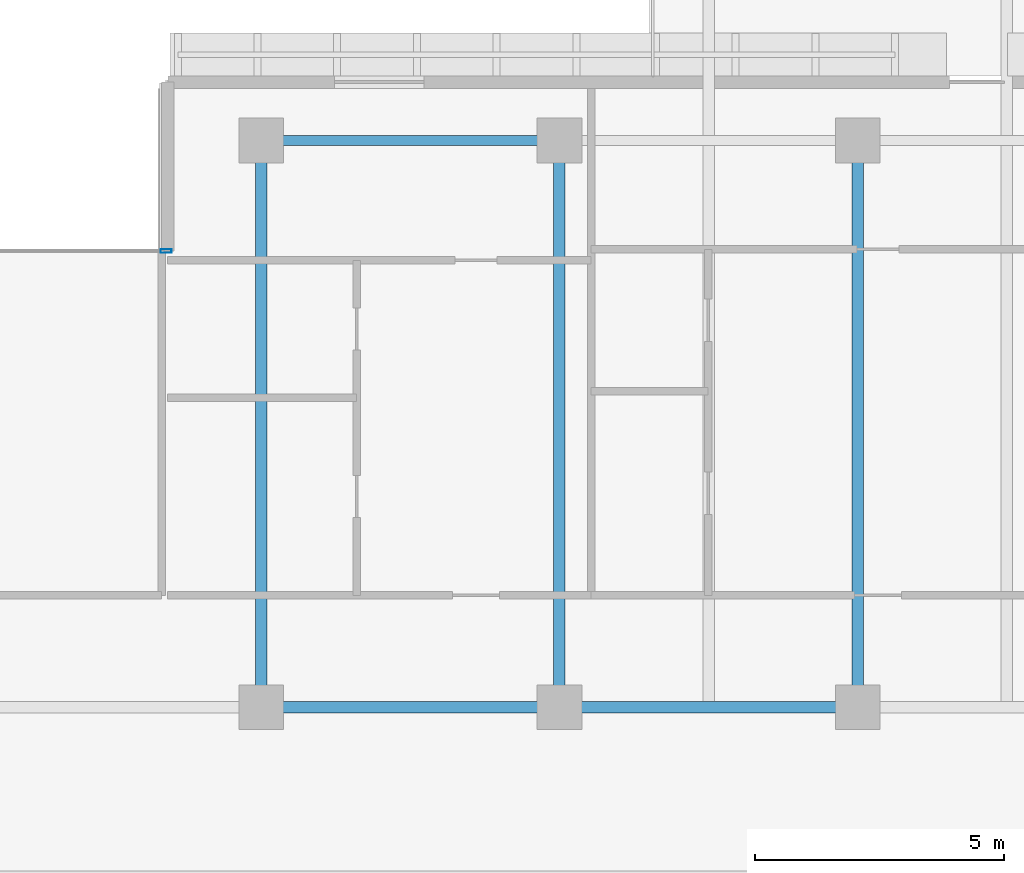
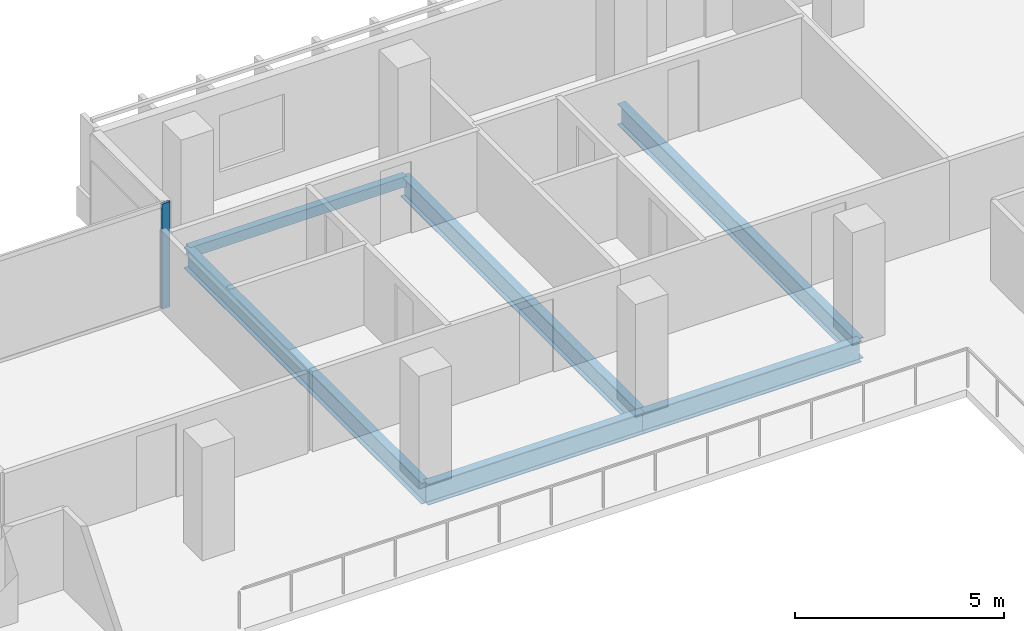
# One storey, part 7 of 20: 6 beams, 1 member, 1 element without a shape of its own.
"""IFC4 building model written with IfcOpenShell, lengths in metres."""

from ifc_helpers import new_model, si_unit, direction, frame, origin, origin_2d, place, context, subcontext, project, spatial, hollow_rectangle, i_section, extrude, material, layer, layer_set, material_profile, profile_set, type_object, element, aggregate, save


model = new_model("IFC4")

# Units and contexts
model_context = context("Model", 3, precision=1e-05, world=origin(), true_north=direction((0.0, 1.0)))
body_context = subcontext(model_context, "Body", "Model", "MODEL_VIEW")
ifc_project = project(units=[si_unit("LENGTHUNIT", "METRE"), si_unit("AREAUNIT", "SQUARE_METRE"), si_unit("VOLUMEUNIT", "CUBIC_METRE"), si_unit("PLANEANGLEUNIT", "RADIAN"), si_unit("MASSUNIT", "GRAM", prefix="KILO")], contexts=[model_context])

# Site, building, storey
site_placement = place(None, origin())
site = spatial("IfcSite", under=ifc_project, at=site_placement, CompositionType="ELEMENT")
building_placement = place(site_placement, origin())
building = spatial("IfcBuilding", under=site, at=building_placement, Name="Tanjung Sevakor Pilgrim Tower", CompositionType="ELEMENT")
storey_placement = place(building_placement, frame((0.0, 0.0, 141.89990234375)))
storey = spatial("IfcBuildingStorey", under=building, at=storey_placement, Name="L39", CompositionType="ELEMENT", Elevation=141.89990234375)

# Beams
ifc_material_1 = material(Name="Steel S355J2", Category="steel")
ifc_material_profile_1 = material_profile(ifc_material_1, i_section(OverallWidth=0.230224609375, OverallDepth=0.6171875, WebThickness=0.01318359375, FlangeThickness=0.022216796875, FilletRadius=0.0126953125, at=origin_2d()))
ifc_profile_set_1 = profile_set([ifc_material_profile_1], Name="Steel S355J2")
beam_type_1 = type_object("IfcBeamType", Name="BM-B-G3-UB_610x229x140", PredefinedType="BEAM", material=ifc_profile_set_1)
for number, where, z_axis, x_axis, name in (
    (1, (54.0, 42.60009765625, -0.528564453125), (1.0, 0.0, 0.0), (0.0, 1.0, 0.0), "L39 Primary Floor Girder MAIN Y426-04"),
    (2, (60.0, 42.60009765625, -0.528564453125), (1.0, 0.0, 0.0), (0.0, 1.0, 0.0), "L39 Primary Floor Girder MAIN Y426-05"),
):
    element("IfcBeam", number, at=place(storey_placement, frame(where, z_axis=z_axis, x_axis=x_axis)), inside=storey, type_object=beam_type_1, Name=name, PredefinedType="BEAM", context=body_context, shape_type="SweptSolid", body=[
        extrude(i_section(OverallWidth=0.230224609375, OverallDepth=0.6171875, WebThickness=0.01318359375, FlangeThickness=0.022216796875, FilletRadius=0.0126953125, at=origin_2d()), origin(), (0.0, 0.0, 1.0), 6.0),
    ])
ifc_material_2 = material(Name="Steel S355J2", Category="steel")
ifc_material_profile_2 = material_profile(ifc_material_2, i_section(OverallWidth=0.22900390625, OverallDepth=0.6123046875, WebThickness=0.011962890625, FlangeThickness=0.01953125, FilletRadius=0.0126953125, at=origin_2d()))
ifc_profile_set_2 = profile_set([ifc_material_profile_2], Name="Steel S355J2")
beam_type_2 = type_object("IfcBeamType", Name="BM-B-G4-UB_610x229x125", PredefinedType="BEAM", material=ifc_profile_set_2)
for number, where, z_axis, x_axis, name in (
    (3, (54.0, 42.60009765625, -0.526123046875), (0.0, 1.0, 0.0), (-1.0, 0.0, 0.0), "L39 MAIN Girder 009"),
    (4, (60.0, 42.60009765625, -0.526123046875), (0.0, 1.0, 0.0), (-1.0, 0.0, 0.0), "L39 MAIN Girder 011"),
    (5, (66.0, 42.60009765625, -0.526123046875), (0.0, 1.0, 0.0), (-1.0, 0.0, 0.0), "L39 MAIN Girder 013"),
):
    element("IfcBeam", number, at=place(storey_placement, frame(where, z_axis=z_axis, x_axis=x_axis)), inside=storey, type_object=beam_type_2, Name=name, PredefinedType="BEAM", context=body_context, shape_type="SweptSolid", body=[
        extrude(i_section(OverallWidth=0.22900390625, OverallDepth=0.6123046875, WebThickness=0.011962890625, FlangeThickness=0.01953125, FilletRadius=0.0126953125, at=origin_2d()), origin(), (0.0, 0.0, 1.0), 11.39990234375),
    ])
ifc_material_3 = material(Name="Steel S355J2", Category="steel")
ifc_material_profile_3 = material_profile(ifc_material_3, hollow_rectangle(XDim=0.199951171875, YDim=0.300048828125, WallThickness=0.012451171875, at=origin_2d()))
ifc_profile_set_3 = profile_set([ifc_material_profile_3], Name="Steel S355J2")
beam_type_3 = type_object("IfcBeamType", Name="BM-B-SP3-RHS_300x200x12.5", PredefinedType="SPANDREL", material=ifc_profile_set_3)
beam_placement = place(storey_placement, frame((54.0, 54.0, -0.369873046875), z_axis=(1.0, 0.0, 0.0), x_axis=(0.0, 1.0, 0.0)))
element("IfcBeam", 6, at=beam_placement, inside=storey, type_object=beam_type_3, Name="L39 Spandrel MAIN N-08", PredefinedType="SPANDREL", context=body_context, shape_type="SweptSolid", body=[
    extrude(hollow_rectangle(XDim=0.199951171875, YDim=0.300048828125, WallThickness=0.012451171875, at=origin_2d()), origin(), (0.0, 0.0, 1.0), 6.0),
])

# Curtain wall, member
ifc_material_4 = material(Name="Aluminium 6063-T6 and Low-E Glass", Category="aluminium")
ifc_layer = layer(ifc_material_4, 0.179931640625)
ifc_layer_set = layer_set([ifc_layer], Name="CW-SYS-CLEFT")
curtain_wall_type = type_object("IfcCurtainWallType", Name="CW-SYS-CLEFT", PredefinedType="NOTDEFINED", material=ifc_layer_set)
curtain_wall_placement = place(storey_placement, origin())
curtain_wall = element("IfcCurtainWall", 7, at=curtain_wall_placement, inside=storey, type_object=curtain_wall_type, Name="L39 Curtain Wall CW-CLF-L39-10", PredefinedType="NOTDEFINED")
ifc_material_5 = material(Name="Aluminium 6063-T6", Category="aluminium")
ifc_material_profile_4 = material_profile(ifc_material_5, hollow_rectangle(XDim=0.074951171875, YDim=0.219970703125, WallThickness=0.0048828125, at=origin_2d()))
ifc_profile_set_4 = profile_set([ifc_material_profile_4], Name="Aluminium 6063-T6")
member_type = type_object("IfcMemberType", Name="TYPE-CWM-2", PredefinedType="MULLION", material=ifc_profile_set_4)
member_placement = place(storey_placement, frame((52.08740234375, 51.77490234375, 0.0), z_axis=(0.0, 0.0, 1.0), x_axis=(0.0, -1.0, 0.0)))
member = element("IfcMember", 8, at=member_placement, type_object=member_type, Name="CW-CLF mullion 1", PredefinedType="MULLION", context=body_context, shape_type="SweptSolid", body=[
    extrude(hollow_rectangle(XDim=0.074951171875, YDim=0.219970703125, WallThickness=0.0048828125, at=origin_2d()), origin(), (0.0, 0.0, 1.0), 3.080078125),
])
aggregate(curtain_wall, [member])

save(model, "model.ifc")
